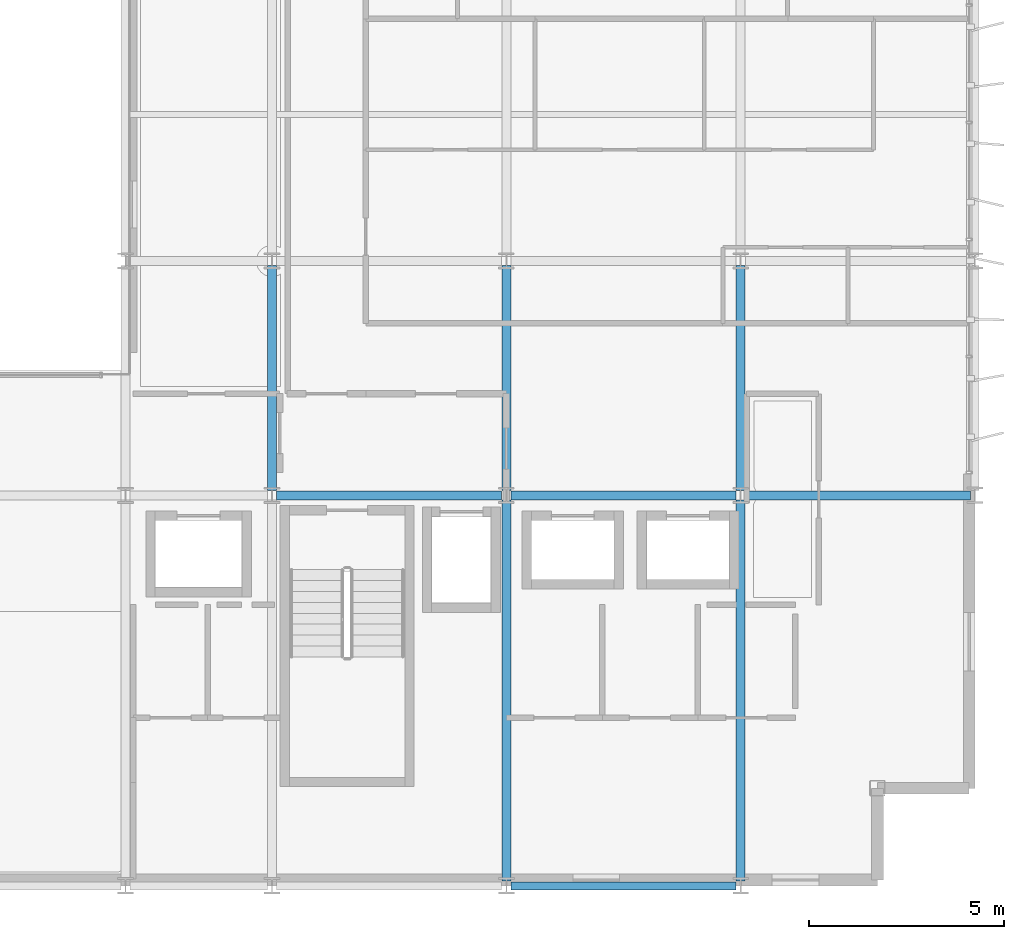
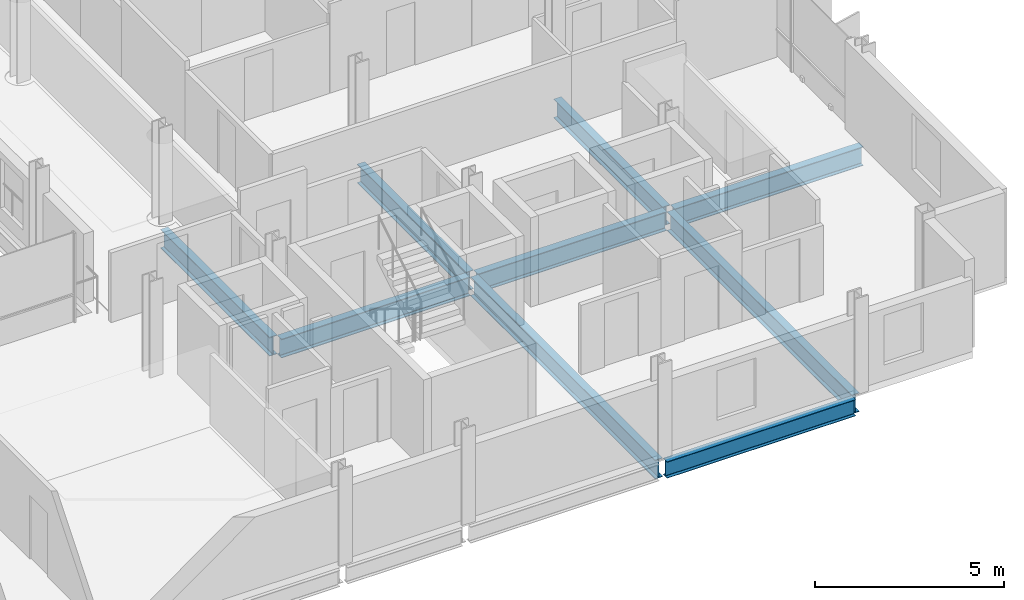
# One storey, part 16 of 40: 9 beams.
"""IFC4 building model written with IfcOpenShell, lengths in metres."""

from ifc_helpers import new_model, si_unit, direction, frame, origin, origin_2d, place, context, subcontext, project, spatial, i_section, extrude, material, material_profile, profile_set, type_object, element, save


model = new_model("IFC4")

# Units and contexts
model_context = context("Model", 3, precision=1e-05, world=origin(), true_north=direction((0.0, 1.0)))
body_context = subcontext(model_context, "Body", "Model", "MODEL_VIEW")
ifc_project = project(units=[si_unit("LENGTHUNIT", "METRE"), si_unit("AREAUNIT", "SQUARE_METRE"), si_unit("VOLUMEUNIT", "CUBIC_METRE"), si_unit("PLANEANGLEUNIT", "RADIAN"), si_unit("MASSUNIT", "GRAM", prefix="KILO")], contexts=[model_context])

# Site, building, storey
site_placement = place(None, origin())
site = spatial("IfcSite", under=ifc_project, at=site_placement, CompositionType="ELEMENT")
building_placement = place(site_placement, origin())
building = spatial("IfcBuilding", under=site, at=building_placement, Name="Brevholm Reach", CompositionType="ELEMENT")
storey_placement = place(building_placement, frame((0.0, 0.0, 160.39990234375)))
storey = spatial("IfcBuildingStorey", under=building, at=storey_placement, Name="L48", CompositionType="ELEMENT", Elevation=160.39990234375)

# Beams
ifc_material_1 = material(Name="Structural Steel S355J2", Category="steel")
ifc_material_profile_1 = material_profile(ifc_material_1, i_section(OverallWidth=0.209228515625, OverallDepth=0.533203125, WebThickness=0.010009765625, FlangeThickness=0.015625, FilletRadius=0.0126953125, at=origin_2d()), Name="UKB 533x210x92")
ifc_profile_set_1 = profile_set([ifc_material_profile_1], Name="Structural Steel S355J2")
beam_type_1 = type_object("IfcBeamType", Name="BM-SP533", PredefinedType="SPANDREL", material=ifc_profile_set_1)
beam_1_placement = place(storey_placement, frame((48.1201171875, 0.0, -0.486572265625), z_axis=(1.0, 0.0, 0.0), x_axis=(0.0, 1.0, 0.0)))
element("IfcBeam", 1, at=beam_1_placement, inside=storey, type_object=beam_type_1, Name="L48 SP-02 Framing Beam", PredefinedType="SPANDREL", context=body_context, shape_type="SweptSolid", body=[
    extrude(i_section(OverallWidth=0.209228515625, OverallDepth=0.533203125, WebThickness=0.010009765625, FlangeThickness=0.015625, FilletRadius=0.0126953125, at=origin_2d()), origin(), (0.0, 0.0, 1.0), 5.759765625),
])
ifc_material_2 = material(Name="Structural Steel S355J2", Category="steel")
ifc_material_profile_2 = material_profile(ifc_material_2, i_section(OverallWidth=0.22900390625, OverallDepth=0.6123046875, WebThickness=0.011962890625, FlangeThickness=0.01953125, FilletRadius=0.0126953125, at=origin_2d()), Name="UKB 610x229x125")
ifc_profile_set_2 = profile_set([ifc_material_profile_2], Name="Structural Steel S355J2")
beam_type_2 = type_object("IfcBeamType", Name="BM-SP610", PredefinedType="SPANDREL", material=ifc_profile_set_2)
for number, where, z_axis, x_axis, name in (
    (2, (42.1201171875, 10.0, -0.526123046875), (1.0, 0.0, 0.0), (0.0, 1.0, 0.0), "L48 SP-01 Framing Beam"),
    (3, (48.1201171875, 10.0, -0.526123046875), (1.0, 0.0, 0.0), (0.0, 1.0, 0.0), "L48 SP-01 Framing Beam"),
    (4, (54.1201171875, 10.0, -0.526123046875), (1.0, 0.0, 0.0), (0.0, 1.0, 0.0), "L48 SP-01 Framing Beam"),
    (5, (42.0, 10.1201171875, -0.526123046875), (0.0, 1.0, 0.0), (-1.0, 0.0, 0.0), "L48 SP-01 Framing Beam"),
):
    element("IfcBeam", number, at=place(storey_placement, frame(where, z_axis=z_axis, x_axis=x_axis)), inside=storey, type_object=beam_type_2, Name=name, PredefinedType="SPANDREL", context=body_context, shape_type="SweptSolid", body=[
        extrude(i_section(OverallWidth=0.22900390625, OverallDepth=0.6123046875, WebThickness=0.011962890625, FlangeThickness=0.01953125, FilletRadius=0.0126953125, at=origin_2d()), origin(), (0.0, 0.0, 1.0), 5.759765625),
    ])
beam_2_placement = place(storey_placement, frame((48.0, 0.1201171875, -0.526123046875), z_axis=(0.0, 1.0, 0.0), x_axis=(-1.0, 0.0, 0.0)))
element("IfcBeam", 6, at=beam_2_placement, inside=storey, type_object=beam_type_2, Name="L48 SP-01 Framing Beam", PredefinedType="SPANDREL", context=body_context, shape_type="SweptSolid", body=[
    extrude(i_section(OverallWidth=0.22900390625, OverallDepth=0.6123046875, WebThickness=0.011962890625, FlangeThickness=0.01953125, FilletRadius=0.0126953125, at=origin_2d()), origin(), (0.0, 0.0, 1.0), 9.759765625),
])
beam_3_placement = place(storey_placement, frame((48.0, 10.1201171875, -0.526123046875), z_axis=(0.0, 1.0, 0.0), x_axis=(-1.0, 0.0, 0.0)))
element("IfcBeam", 7, at=beam_3_placement, inside=storey, type_object=beam_type_2, Name="L48 SP-01 Framing Beam", PredefinedType="SPANDREL", context=body_context, shape_type="SweptSolid", body=[
    extrude(i_section(OverallWidth=0.22900390625, OverallDepth=0.6123046875, WebThickness=0.011962890625, FlangeThickness=0.01953125, FilletRadius=0.0126953125, at=origin_2d()), origin(), (0.0, 0.0, 1.0), 5.759765625),
])
beam_4_placement = place(storey_placement, frame((54.0, 0.1201171875, -0.526123046875), z_axis=(0.0, 1.0, 0.0), x_axis=(-1.0, 0.0, 0.0)))
element("IfcBeam", 8, at=beam_4_placement, inside=storey, type_object=beam_type_2, Name="L48 SP-01 Framing Beam", PredefinedType="SPANDREL", context=body_context, shape_type="SweptSolid", body=[
    extrude(i_section(OverallWidth=0.22900390625, OverallDepth=0.6123046875, WebThickness=0.011962890625, FlangeThickness=0.01953125, FilletRadius=0.0126953125, at=origin_2d()), origin(), (0.0, 0.0, 1.0), 9.759765625),
])
beam_5_placement = place(storey_placement, frame((54.0, 10.1201171875, -0.526123046875), z_axis=(0.0, 1.0, 0.0), x_axis=(-1.0, 0.0, 0.0)))
element("IfcBeam", 9, at=beam_5_placement, inside=storey, type_object=beam_type_2, Name="L48 SP-01 Framing Beam", PredefinedType="SPANDREL", context=body_context, shape_type="SweptSolid", body=[
    extrude(i_section(OverallWidth=0.22900390625, OverallDepth=0.6123046875, WebThickness=0.011962890625, FlangeThickness=0.01953125, FilletRadius=0.0126953125, at=origin_2d()), origin(), (0.0, 0.0, 1.0), 5.759765625),
])

save(model, "model.ifc")
